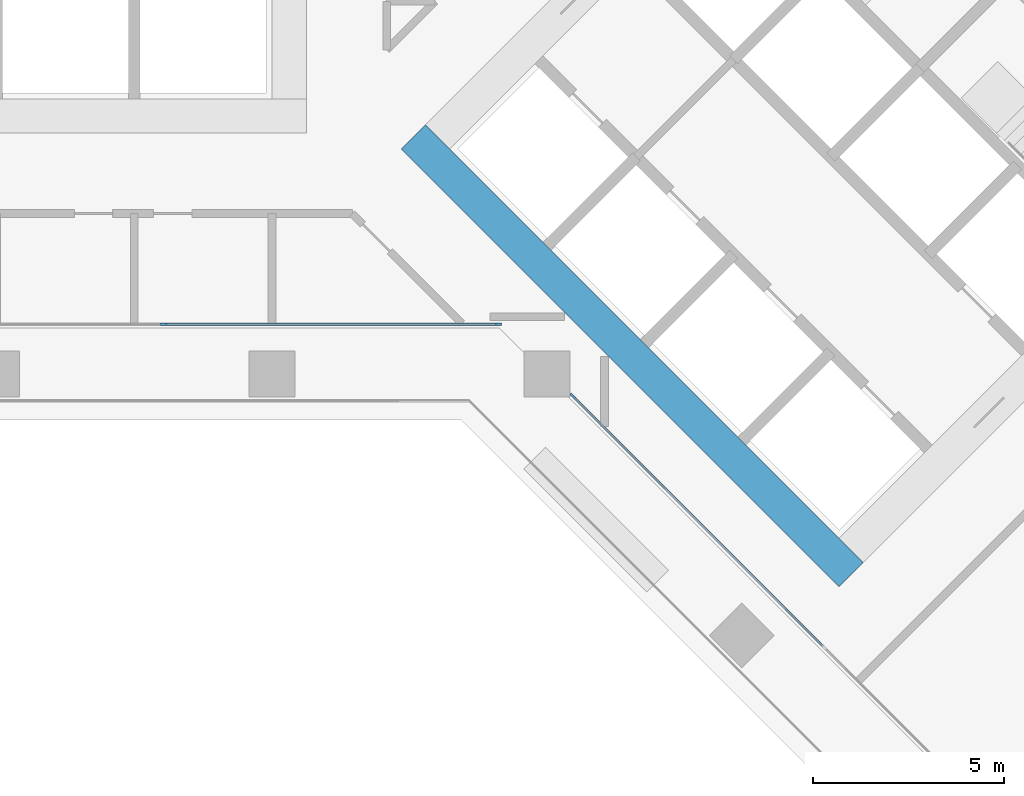
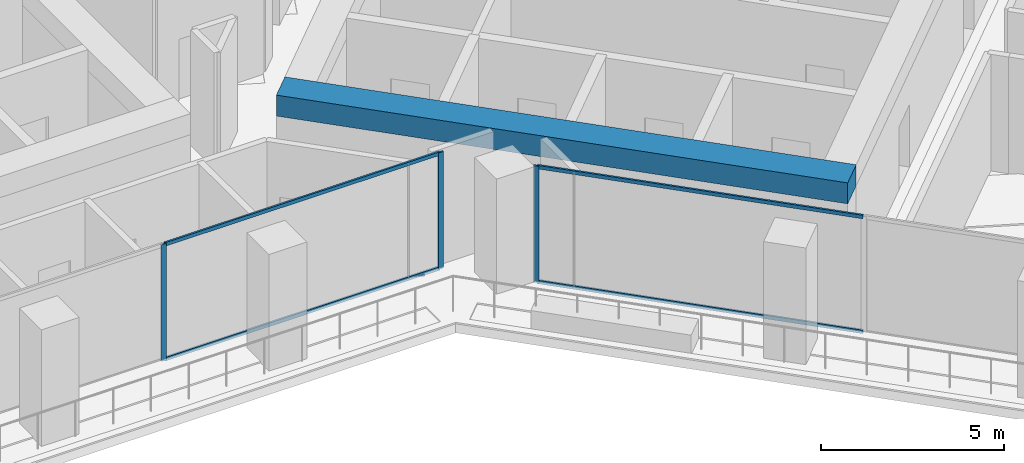
# One storey, part 3 of 24: 7 members, 1 beam, 2 elements without a shape of their own.
"""IFC4 building model written with IfcOpenShell, lengths in metres."""

import ifcopenshell
import ifcopenshell.guid

model = None  # the IFC model being written
_history = None  # IfcOwnerHistory: only IFC2X3 demands one
_inside = {}  # id of a spatial element -> (the spatial element, [elements in it])
_under = {}  # id of a project, library or spatial element -> (it, [spatial elements below it])
_declared = {}  # id of a project -> (the project, [libraries it declares])
_typed = {}  # id of a type object -> (the type object, [elements of that type])
_made_of = {}  # id of a material, layer set ... -> (it, [elements and type objects made of it])


def new_model(schema):
    """Start an empty IFC model of exactly this schema.

    Asked for "IFC4X3", IfcOpenShell would pick the latest addendum, in which some entities
    have other attributes; the version numbers below select the first issue.
    IFC2X3 requires an IfcOwnerHistory on every rooted entity: one is made here for all.
    """
    global model, _history
    if schema == "IFC4X3":
        model = ifcopenshell.file(schema_version=(4, 3, 0, 0))
    else:
        model = ifcopenshell.file(schema=schema)
    _inside.clear()
    _under.clear()
    _declared.clear()
    _typed.clear()
    _made_of.clear()
    _history = None
    if model.schema == "IFC2X3":
        org = make("IfcOrganization", Name="unknown")
        user = make(
            "IfcPersonAndOrganization",
            ThePerson=make("IfcPerson", FamilyName="unknown"),
            TheOrganization=org,
        )
        app = make(
            "IfcApplication",
            ApplicationDeveloper=org,
            Version="unknown",
            ApplicationFullName="unknown",
            ApplicationIdentifier="unknown",
        )
        _history = make(
            "IfcOwnerHistory",
            OwningUser=user,
            OwningApplication=app,
            ChangeAction="ADDED",
            CreationDate=0,
        )
    return model


def make(cls, **values):
    """One entity of the class cls with the attributes given. An attribute that is None is left unset."""
    return model.create_entity(
        cls, **{name: value for name, value in values.items() if value is not None}
    )


def rooted(cls, **values):
    """An entity with a GlobalId (a new one), such as an element, a storey or a relation."""
    return make(cls, GlobalId=ifcopenshell.guid.new(), OwnerHistory=_history, **values)


def si_unit(unit_type, name, prefix=None):
    """IfcSIUnit, for example si_unit("LENGTHUNIT", "METRE", prefix="MILLI")."""
    return make("IfcSIUnit", UnitType=unit_type, Prefix=prefix, Name=name)


def assignment(units):
    """IfcUnitAssignment: the units of a project."""
    return None if units is None else make("IfcUnitAssignment", Units=units)


def point(xyz):
    """IfcCartesianPoint."""
    return None if xyz is None else make("IfcCartesianPoint", Coordinates=xyz)


def direction(xyz):
    """IfcDirection."""
    return None if xyz is None else make("IfcDirection", DirectionRatios=xyz)


def frame(location, z_axis=None, x_axis=None):
    """IfcAxis2Placement3D, a coordinate frame: its origin and axes. An axis left out is left unset."""
    return make(
        "IfcAxis2Placement3D",
        Location=point(location),
        Axis=direction(z_axis),
        RefDirection=direction(x_axis),
    )


def frame_2d(location, x_axis=None):
    """IfcAxis2Placement2D, a coordinate frame in the plane: its origin and x axis."""
    return make(
        "IfcAxis2Placement2D", Location=point(location), RefDirection=direction(x_axis)
    )


def origin():
    """The frame at (0, 0, 0) with its axes left unset."""
    return frame((0.0, 0.0, 0.0))


def origin_2d():
    """The frame at (0, 0) in the plane with its x axis left unset."""
    return frame_2d((0.0, 0.0))


def place(relative_to, where):
    """IfcLocalPlacement: puts the frame where relative to a parent placement (None: the world)."""
    return make(
        "IfcLocalPlacement", PlacementRelTo=relative_to, RelativePlacement=where
    )


def context(
    kind, dimensions, precision=None, world=None, true_north=None, identifier=None
):
    """IfcGeometricRepresentationContext, for example the 3D "Model" context."""
    return make(
        "IfcGeometricRepresentationContext",
        ContextIdentifier=identifier,
        ContextType=kind,
        CoordinateSpaceDimension=dimensions,
        Precision=precision,
        WorldCoordinateSystem=world,
        TrueNorth=true_north,
    )


def subcontext(parent, identifier, kind, view, scale=None):
    """IfcGeometricRepresentationSubContext, for example "Body" below "Model"."""
    return make(
        "IfcGeometricRepresentationSubContext",
        ContextIdentifier=identifier,
        ContextType=kind,
        ParentContext=parent,
        TargetScale=scale,
        TargetView=view,
    )


def project(units=None, contexts=None):
    """IfcProject with its units and contexts."""
    return rooted(
        "IfcProject",
        Name="project",
        RepresentationContexts=contexts,
        UnitsInContext=assignment(units),
    )


def spatial(cls, under=None, at=None, **own):
    """A site, building, storey or space (cls), placed at a placement, below another one or the project."""
    s = rooted(cls, ObjectPlacement=at, **own)
    if under is not None:
        _under.setdefault(under.id(), (under, []))[1].append(s)
    return s


def profile(cls, at=None, kind="AREA", **sizes):
    """A parametric profile (cls). Its sizes go by their IFC names, for example OverallWidth=200.0."""
    return make(cls, ProfileType=kind, Position=at, **sizes)


def rectangle(**sizes):
    """IfcRectangleProfileDef."""
    return profile("IfcRectangleProfileDef", **sizes)


def extrude(swept, where, along, depth):
    """IfcExtrudedAreaSolid: the profile swept, set in the frame where, extruded along a direction by depth."""
    return make(
        "IfcExtrudedAreaSolid",
        SweptArea=swept,
        Position=where,
        ExtrudedDirection=direction(along),
        Depth=depth,
    )


def shape(context_of_items, identifier, shape_type, items):
    """IfcShapeRepresentation: the items that make up one representation, for example the "Body"."""
    return make(
        "IfcShapeRepresentation",
        ContextOfItems=context_of_items,
        RepresentationIdentifier=identifier,
        RepresentationType=shape_type,
        Items=items,
    )


def material(Name=None, Category=None):
    """IfcMaterial."""
    return make("IfcMaterial", Name=Name, Category=Category)


def material_profile(
    of_material, cross_section, Name=None, Category=None, Priority=None
):
    """IfcMaterialProfile: a cross section and its material."""
    return make(
        "IfcMaterialProfile",
        Name=Name,
        Material=of_material,
        Profile=cross_section,
        Priority=Priority,
        Category=Category,
    )


def profile_set(profiles, Name=None, composite=None):
    """IfcMaterialProfileSet."""
    return make(
        "IfcMaterialProfileSet",
        Name=Name,
        MaterialProfiles=profiles,
        CompositeProfile=composite,
    )


def made_of(thing, what):
    """Note that an element or type object is made of a material, layer set ...; save() writes the relation."""
    if what is not None:
        _made_of.setdefault(what.id(), (what, []))[1].append(thing)
    return thing


def type_object(cls, material=None, **own):
    """A type object (cls), such as IfcWallType, which elements share."""
    return made_of(rooted(cls, **own), material)


def element(
    cls,
    number,
    at=None,
    inside=None,
    cuts=None,
    type_object=None,
    material=None,
    context=None,
    identifier="Body",
    shape_type=None,
    held_by="IfcProductDefinitionShape",
    body=None,
    shapes=None,
    **own,
):
    """One element of the class cls, such as IfcWall. Its Tag is "e" and its number.

    at: its placement. inside: the storey or other place that contains it. cuts: it is an
    opening in that element (IfcRelVoidsElement). A single representation is given by context,
    identifier, shape_type and body (its items); several are given by shapes. held_by: the class
    of the entity that holds the representations. save() writes the other relations.
    """
    e = rooted(cls, Tag="e%d" % number, ObjectPlacement=at, **own)
    if body is not None:
        shapes = [shape(context, identifier, shape_type, body)]
    if shapes is not None:
        e.Representation = make(held_by, Representations=shapes)
    if inside is not None:
        _inside.setdefault(inside.id(), (inside, []))[1].append(e)
    if cuts is not None:
        rooted(
            "IfcRelVoidsElement", RelatingBuildingElement=cuts, RelatedOpeningElement=e
        )
    if type_object is not None:
        _typed.setdefault(type_object.id(), (type_object, []))[1].append(e)
    return made_of(e, material)


def aggregate(whole, parts):
    """IfcRelAggregates: a whole, such as a stair, and the parts it consists of."""
    return rooted("IfcRelAggregates", RelatingObject=whole, RelatedObjects=parts)


def save(model, path):
    """Write the relations noted so far, then the file.

    IfcRelAggregates (storeys below a building ...), IfcRelContainedInSpatialStructure (elements
    in a storey), IfcRelDefinesByType, IfcRelAssociatesMaterial and IfcRelDeclares: one each for
    every whole, place, type object, material and project.
    """
    for whole, parts in _under.values():
        aggregate(whole, parts)
    for where, things in _inside.values():
        rooted(
            "IfcRelContainedInSpatialStructure",
            RelatedElements=things,
            RelatingStructure=where,
        )
    for kind, things in _typed.values():
        rooted("IfcRelDefinesByType", RelatedObjects=things, RelatingType=kind)
    for what, things in _made_of.values():
        rooted("IfcRelAssociatesMaterial", RelatedObjects=things, RelatingMaterial=what)
    for by, libraries in _declared.values():
        rooted("IfcRelDeclares", RelatingContext=by, RelatedDefinitions=libraries)
    model.write(path)


model = new_model("IFC4")

# Units and contexts
model_context = context("Model", 3, precision=1e-05, world=origin(), true_north=direction((0.0, 1.0)))
body_context = subcontext(model_context, "Body", "Model", "MODEL_VIEW")
ifc_project = project(units=[si_unit("LENGTHUNIT", "METRE"), si_unit("AREAUNIT", "SQUARE_METRE"), si_unit("VOLUMEUNIT", "CUBIC_METRE"), si_unit("PLANEANGLEUNIT", "RADIAN"), si_unit("MASSUNIT", "GRAM", prefix="KILO")], contexts=[model_context])

# Site, building, storey
site_placement = place(None, origin())
site = spatial("IfcSite", under=ifc_project, at=site_placement, CompositionType="ELEMENT")
building_placement = place(site_placement, origin())
building = spatial("IfcBuilding", under=site, at=building_placement, Name="Windrow Commons", CompositionType="ELEMENT")
storey_placement = place(building_placement, frame((0.0, 0.0, 77.0)))
storey = spatial("IfcBuildingStorey", under=building, at=storey_placement, Name="L20", CompositionType="ELEMENT", Elevation=77.0)

# Curtain wall, members
ifc_material_1 = material(Name="Clear laminated glass in Aluminium 6063-T6 anodised frame", Category="aluminium")
curtain_wall_type = type_object("IfcCurtainWallType", Name="Curtain wall CW2 sky lounge", PredefinedType="USERDEFINED", material=ifc_material_1)
placement = place(storey_placement, origin())
curtain_wall_1 = element("IfcCurtainWall", 1, at=placement, inside=storey, type_object=curtain_wall_type, Name="Curtain wall CW2 L20 12", ObjectType="UNITISED", PredefinedType="USERDEFINED")
ifc_material_2 = material(Name="Aluminium 6063-T6", Category="aluminium")
ifc_material_profile_1 = material_profile(ifc_material_2, rectangle(XDim=0.06, YDim=0.16, at=origin_2d()))
ifc_profile_set_1 = profile_set([ifc_material_profile_1], Name="Aluminium 6063-T6")
member_type_1 = type_object("IfcMemberType", Name="CW2 mullion 60x160", PredefinedType="MULLION", material=ifc_profile_set_1)
member_1_placement = place(storey_placement, frame((69.1667, 44.5, 0.0), z_axis=(0.0, 0.0, 1.0), x_axis=(0.0, 1.0, 0.0)))
member_1 = element("IfcMember", 2, at=member_1_placement, type_object=member_type_1, Name="CW2 mullion 3", PredefinedType="MULLION", context=body_context, shape_type="SweptSolid", body=[
    extrude(rectangle(XDim=0.06, YDim=0.16, at=origin_2d()), origin(), (0.0, 0.0, 1.0), 3.9),
])
member_2_placement = place(storey_placement, frame((77.92, 44.5, 0.0), z_axis=(0.0, 0.0, 1.0), x_axis=(0.0, 1.0, 0.0)))
member_2 = element("IfcMember", 3, at=member_2_placement, type_object=member_type_1, Name="CW2 mullion 4", PredefinedType="MULLION", context=body_context, shape_type="SweptSolid", body=[
    extrude(rectangle(XDim=0.06, YDim=0.16, at=origin_2d()), origin(), (0.0, 0.0, 1.0), 3.9),
])

# Curtain wall, member
curtain_wall_2 = element("IfcCurtainWall", 4, at=placement, inside=storey, type_object=curtain_wall_type, Name="Curtain wall CW2 L20 13", ObjectType="UNITISED", PredefinedType="USERDEFINED")
member_3_placement = place(storey_placement, frame((79.8669, 42.6245, 0.0), z_axis=(0.0, 0.0, 1.0), x_axis=(0.7071051455, 0.7071084169, 0.0)))
member_3 = element("IfcMember", 5, at=member_3_placement, type_object=member_type_1, Name="CW2 mullion 1", PredefinedType="MULLION", context=body_context, shape_type="SweptSolid", body=[
    extrude(rectangle(XDim=0.06, YDim=0.16, at=origin_2d()), origin(), (0.0, 0.0, 1.0), 3.9),
])

# Member
ifc_material_3 = material(Name="Aluminium 6063-T6", Category="aluminium")
ifc_material_profile_2 = material_profile(ifc_material_3, rectangle(XDim=0.06, YDim=0.12, at=origin_2d()))
ifc_profile_set_2 = profile_set([ifc_material_profile_2], Name="Aluminium 6063-T6")
member_type_2 = type_object("IfcMemberType", Name="CW2 transom 60x120", PredefinedType="USERDEFINED", material=ifc_profile_set_2)
member_4_placement = place(storey_placement, frame((69.1967, 44.5, 0.03), z_axis=(1.0, 0.0, 0.0), x_axis=(0.0, 1.0, 0.0)))
member_4 = element("IfcMember", 6, at=member_4_placement, type_object=member_type_2, Name="CW2 transom 3.1", ObjectType="TRANSOM", PredefinedType="USERDEFINED", context=body_context, shape_type="SweptSolid", body=[
    extrude(rectangle(XDim=0.06, YDim=0.12, at=origin_2d()), origin(), (0.0, 0.0, 1.0), 8.6933),
])

member_5_placement = place(storey_placement, frame((69.1967, 44.5, 3.87), z_axis=(1.0, 0.0, 0.0), x_axis=(0.0, 1.0, 0.0)))
member_5 = element("IfcMember", 7, at=member_5_placement, type_object=member_type_2, Name="CW2 transom 3.2", ObjectType="TRANSOM", PredefinedType="USERDEFINED", context=body_context, shape_type="SweptSolid", body=[
    extrude(rectangle(XDim=0.06, YDim=0.12, at=origin_2d()), origin(), (0.0, 0.0, 1.0), 8.6933),
])

aggregate(curtain_wall_1, [member_1, member_2, member_4, member_5])

member_6_placement = place(storey_placement, frame((79.8881, 42.6033, 0.03), z_axis=(0.707112193, -0.7071013693, 0.0), x_axis=(0.7071013693, 0.707112193, 0.0)))
member_6 = element("IfcMember", 8, at=member_6_placement, type_object=member_type_2, Name="CW2 transom 1.1", ObjectType="TRANSOM", PredefinedType="USERDEFINED", context=body_context, shape_type="SweptSolid", body=[
    extrude(rectangle(XDim=0.06, YDim=0.12, at=origin_2d()), origin(), (0.0, 0.0, 1.0), 9.239),
])

member_7_placement = place(storey_placement, frame((79.8881, 42.6033, 3.87), z_axis=(0.707112193, -0.7071013693, 0.0), x_axis=(0.7071013693, 0.707112193, 0.0)))
member_7 = element("IfcMember", 9, at=member_7_placement, type_object=member_type_2, Name="CW2 transom 1.2", ObjectType="TRANSOM", PredefinedType="USERDEFINED", context=body_context, shape_type="SweptSolid", body=[
    extrude(rectangle(XDim=0.06, YDim=0.12, at=origin_2d()), origin(), (0.0, 0.0, 1.0), 9.239),
])

aggregate(curtain_wall_2, [member_3, member_6, member_7])

# Beam
ifc_material_4 = material(Name="Concrete C60/75", Category="concrete")
ifc_material_profile_3 = material_profile(ifc_material_4, rectangle(XDim=0.9, YDim=0.7, at=origin_2d()))
ifc_profile_set_3 = profile_set([ifc_material_profile_3], Name="Concrete C60/75")
beam_type = type_object("IfcBeamType", Name="RC COUPLING BEAM 900x700 C60/75", PredefinedType="LINTEL", material=ifc_profile_set_3)
beam_placement = place(storey_placement, frame((75.6998, 49.4079, 3.55), z_axis=(0.7071098676, -0.7071036948, 0.0), x_axis=(0.7071036948, 0.7071098676, 0.0)))
element("IfcBeam", 10, at=beam_placement, inside=storey, type_object=beam_type, Name="Core B coupling beam outer-S", PredefinedType="LINTEL", context=body_context, shape_type="SweptSolid", body=[
    extrude(rectangle(XDim=0.9, YDim=0.7, at=origin_2d()), origin(), (0.0, 0.0, 1.0), 16.2),
])

save(model, "model.ifc")
